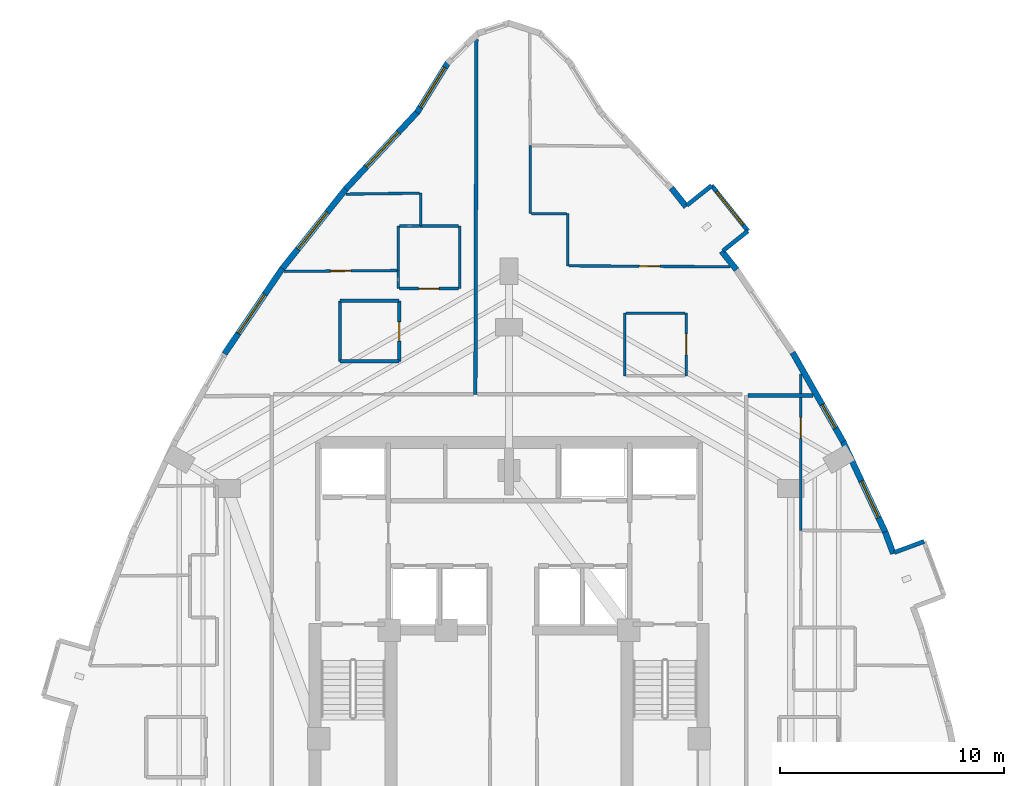
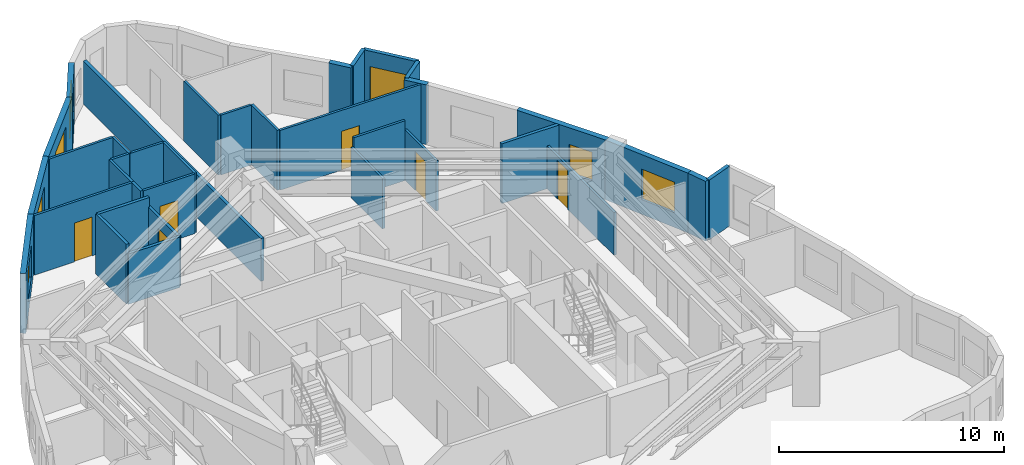
# One storey, part 12 of 14: 36 walls, 7 windows, 6 doors, 13 openings.
"""IFC4 building model written with IfcOpenShell, lengths in metres."""

from ifc_helpers import new_model, si_unit, direction, frame, frame_2d, origin, place, context, subcontext, project, spatial, rectangle, extrude, material, layer, layer_set, type_object, element, fill, save


model = new_model("IFC4")

# Units and contexts
model_context = context("Model", 3, precision=1e-05, world=origin(), true_north=direction((0.0, 1.0)))
body_context = subcontext(model_context, "Body", "Model", "MODEL_VIEW")
ifc_project = project(units=[si_unit("LENGTHUNIT", "METRE"), si_unit("AREAUNIT", "SQUARE_METRE"), si_unit("VOLUMEUNIT", "CUBIC_METRE"), si_unit("PLANEANGLEUNIT", "RADIAN"), si_unit("MASSUNIT", "GRAM", prefix="KILO")], contexts=[model_context])

# Site, building, storey
site_placement = place(None, origin())
site = spatial("IfcSite", under=ifc_project, at=site_placement, CompositionType="ELEMENT")
building_placement = place(site_placement, origin())
building = spatial("IfcBuilding", under=site, at=building_placement, Name="Miruveldt Soraemaru", CompositionType="ELEMENT")
storey_placement = place(building_placement, frame((0.0, 0.0, 114.39990234375)))
storey = spatial("IfcBuildingStorey", under=building, at=storey_placement, Name="L31", CompositionType="ELEMENT", Elevation=114.39990234375)

# Walls
ifc_material_1 = material(Name="White powder-coated aluminium EN AW-6060 T6", Category="aluminium")
ifc_layer_1 = layer(ifc_material_1, 0.18994140625, Name="White powder-coated aluminium EN AW-6060 T6", Category="aluminium")
ifc_layer_set_1 = layer_set([ifc_layer_1], Name="White powder-coated aluminium EN AW-6060 T6")
wall_type_1 = type_object("IfcWallType", Name="WALL-BAY-ALU190", PredefinedType="SOLIDWALL", material=ifc_layer_set_1)
for number, where, z_axis, x_axis, name in (
    (1, (62.55712890625, 48.029541015625, 0.0), (0.0, 0.0, 1.0), (-0.937129361406, -0.348982177182, 0.0), "L31 Bay Window Side Cheek 3R"),
    (2, (53.5703125, 61.017333984375, 0.0), (0.0, 0.0, 1.0), (0.781737193764, 0.623608017817, 0.0), "L31 Bay Window Side Cheek 4L"),
    (3, (53.06298828125, 63.938720703125, 0.0), (0.0, 0.0, 1.0), (-0.781737193764, -0.623608017817, 0.0), "L31 Bay Window Side Cheek 4R"),
):
    element("IfcWall", number, at=place(storey_placement, frame(where, z_axis=z_axis, x_axis=x_axis)), inside=storey, type_object=wall_type_1, Name=name, PredefinedType="SOLIDWALL", context=body_context, shape_type="SweptSolid", body=[
        extrude(rectangle(XDim=1.425048828125, YDim=0.18994140625, at=frame_2d((0.71240234375, 0.0))), origin(), (0.0, 0.0, 1.0), 3.235107421875),
    ])

# Wall, opening, window
wall_1_placement = place(storey_placement, frame((54.684326171875, 61.906005859375, 0.0), z_axis=(0.0, 0.0, 1.0), x_axis=(-0.62356077149, 0.781774880805, 0.0)))
wall_1 = element("IfcWall", 4, at=wall_1_placement, inside=storey, type_object=wall_type_1, Name="L31 Bay Window Front Frame 4", PredefinedType="SOLIDWALL", context=body_context, shape_type="SweptSolid", body=[
    extrude(rectangle(XDim=2.60009765625, YDim=0.18994140625, at=frame_2d((1.300048828125, 0.0))), origin(), (0.0, 0.0, 1.0), 3.235107421875),
])
opening_1_placement = place(wall_1_placement, frame((0.35009765625, 0.0, 0.550048828125)))
opening_1 = element("IfcOpeningElement", 5, at=opening_1_placement, cuts=wall_1, Name="Opening WN-6", PredefinedType="OPENING", context=body_context, shape_type="SweptSolid", body=[
    extrude(rectangle(XDim=1.89990234375, YDim=1.85009765625, at=frame_2d((0.949951171875, 0.925048828125))), frame((0.0, 0.10498046875, 0.0), z_axis=(0.0, -1.0, 0.0), x_axis=(1.0, 0.0, 0.0)), (0.0, 0.0, 1.0), 0.2099609375),
])
ifc_material_2 = material(Name="Triple low-e insulated glazing", Category="glass")
window_type_1 = type_object("IfcWindowType", Name="WIN-BAYW-1900x1850", PartitioningType="SINGLE_PANEL", PredefinedType="WINDOW", material=ifc_material_2)
window_1_placement = place(opening_1_placement, origin())
window_1 = element("IfcWindow", 6, at=window_1_placement, inside=storey, type_object=window_type_1, Name="L31 Projecting Bay Window 4", OverallHeight=1.85009765625, OverallWidth=1.89990234375, PartitioningType="SINGLE_PANEL", PredefinedType="WINDOW", context=body_context, shape_type="SweptSolid", body=[
    extrude(rectangle(XDim=1.89990234375, YDim=1.85009765625, at=frame_2d((0.949951171875, 0.925048828125))), frame((0.0, 0.030029296875, 0.0), z_axis=(0.0, -1.0, 0.0), x_axis=(1.0, 0.0, 0.0)), (0.0, 0.0, 1.0), 0.06005859375),
])
fill(opening_1, window_1)

ifc_material_3 = material(Name="Precast concrete C45/55 (45 MPa)", Category="concrete")
ifc_layer_2 = layer(ifc_material_3, 0.27001953125, Name="Precast concrete C45/55 (45 MPa)", Category="concrete")
ifc_layer_set_2 = layer_set([ifc_layer_2], Name="Precast concrete C45/55 (45 MPa)")
wall_type_2 = type_object("IfcWallType", Name="WALL-EXT-PC270", PredefinedType="SOLIDWALL", material=ifc_layer_set_2)
wall_2_placement = place(storey_placement, frame((41.289306640625, 69.462890625, 0.0), z_axis=(0.0, 0.0, 1.0), x_axis=(-0.526013792322, -0.850476037456, 0.0)))
wall_2 = element("IfcWall", 7, at=wall_2_placement, inside=storey, type_object=wall_type_2, Name="L31 Precast Concrete Facade Wall 6", PredefinedType="SOLIDWALL", context=body_context, shape_type="SweptSolid", body=[
    extrude(rectangle(XDim=2.66357421875, YDim=0.27001953125, at=frame_2d((1.331787109375, 0.0))), origin(), (0.0, 0.0, 1.0), 3.235107421875),
])
opening_2_placement = place(wall_2_placement, frame((0.281982421875, 0.0, 0.800048828125)))
opening_2 = element("IfcOpeningElement", 8, at=opening_2_placement, cuts=wall_2, Name="Opening WN-1", PredefinedType="OPENING", context=body_context, shape_type="SweptSolid", body=[
    extrude(rectangle(XDim=2.10009765625, YDim=1.699951171875, at=frame_2d((1.050048828125, 0.85009765625))), frame((0.0, 0.14501953125, 0.0), z_axis=(0.0, -1.0, 0.0), x_axis=(1.0, 0.0, 0.0)), (0.0, 0.0, 1.0), 0.2900390625),
])
window_type_2 = type_object("IfcWindowType", Name="WIN-PUNCH-2100x1700", PartitioningType="SINGLE_PANEL", PredefinedType="WINDOW", material=ifc_material_2)
window_2_placement = place(opening_2_placement, origin())
window_2 = element("IfcWindow", 9, at=window_2_placement, inside=storey, type_object=window_type_2, Name="L31 Punched Triple-Glazed Window 06.1", OverallHeight=1.699951171875, OverallWidth=2.10009765625, PartitioningType="SINGLE_PANEL", PredefinedType="WINDOW", context=body_context, shape_type="SweptSolid", body=[
    extrude(rectangle(XDim=2.10009765625, YDim=1.699951171875, at=frame_2d((1.050048828125, 0.85009765625))), frame((0.0, 0.030029296875, 0.0), z_axis=(0.0, -1.0, 0.0), x_axis=(1.0, 0.0, 0.0)), (0.0, 0.0, 1.0), 0.06005859375),
])
fill(opening_2, window_2)

wall_3_placement = place(storey_placement, frame((39.930419921875, 67.2529296875, 0.0), z_axis=(0.0, 0.0, 1.0), x_axis=(-0.680907985311, -0.732368974998, 0.0)))
wall_3 = element("IfcWall", 10, at=wall_3_placement, inside=storey, type_object=wall_type_2, Name="L31 Precast Concrete Facade Wall 7", PredefinedType="SOLIDWALL", context=body_context, shape_type="SweptSolid", body=[
    extrude(rectangle(XDim=4.753662109375, YDim=0.27001953125, at=frame_2d((2.376953125, 0.0))), origin(), (0.0, 0.0, 1.0), 3.235107421875),
])
opening_3_placement = place(wall_3_placement, frame((1.280029296875, 0.0, 0.800048828125)))
opening_3 = element("IfcOpeningElement", 11, at=opening_3_placement, cuts=wall_3, Name="Opening WN-1", PredefinedType="OPENING", context=body_context, shape_type="SweptSolid", body=[
    extrude(rectangle(XDim=2.10009765625, YDim=1.699951171875, at=frame_2d((1.050048828125, 0.85009765625))), frame((0.0, 0.14501953125, 0.0), z_axis=(0.0, -1.0, 0.0), x_axis=(1.0, 0.0, 0.0)), (0.0, 0.0, 1.0), 0.2900390625),
])
window_3_placement = place(opening_3_placement, origin())
window_3 = element("IfcWindow", 12, at=window_3_placement, inside=storey, type_object=window_type_2, Name="L31 Punched Triple-Glazed Window 07.1", OverallHeight=1.699951171875, OverallWidth=2.10009765625, PartitioningType="SINGLE_PANEL", PredefinedType="WINDOW", context=body_context, shape_type="SweptSolid", body=[
    extrude(rectangle(XDim=2.10009765625, YDim=1.699951171875, at=frame_2d((1.050048828125, 0.85009765625))), frame((0.0, 0.030029296875, 0.0), z_axis=(0.0, -1.0, 0.0), x_axis=(1.0, 0.0, 0.0)), (0.0, 0.0, 1.0), 0.06005859375),
])
fill(opening_3, window_3)

wall_4_placement = place(storey_placement, frame((36.7392578125, 63.82470703125, 0.0), z_axis=(0.0, 0.0, 1.0), x_axis=(-0.623591359233, -0.781750482372, 0.0)))
wall_4 = element("IfcWall", 13, at=wall_4_placement, inside=storey, type_object=wall_type_2, Name="L31 Precast Concrete Facade Wall 8", PredefinedType="SOLIDWALL", context=body_context, shape_type="SweptSolid", body=[
    extrude(rectangle(XDim=4.66943359375, YDim=0.27001953125, at=frame_2d((2.334716796875, 0.0))), origin(), (0.0, 0.0, 1.0), 3.235107421875),
])
opening_4_placement = place(wall_4_placement, frame((1.386962890625, 0.0, 0.800048828125)))
opening_4 = element("IfcOpeningElement", 14, at=opening_4_placement, cuts=wall_4, Name="Opening WN-1", PredefinedType="OPENING", context=body_context, shape_type="SweptSolid", body=[
    extrude(rectangle(XDim=2.10009765625, YDim=1.699951171875, at=frame_2d((1.050048828125, 0.85009765625))), frame((0.0, 0.14501953125, 0.0), z_axis=(0.0, -1.0, 0.0), x_axis=(1.0, 0.0, 0.0)), (0.0, 0.0, 1.0), 0.2900390625),
])
window_4_placement = place(opening_4_placement, origin())
window_4 = element("IfcWindow", 15, at=window_4_placement, inside=storey, type_object=window_type_2, Name="L31 Punched Triple-Glazed Window 08.1", OverallHeight=1.699951171875, OverallWidth=2.10009765625, PartitioningType="SINGLE_PANEL", PredefinedType="WINDOW", context=body_context, shape_type="SweptSolid", body=[
    extrude(rectangle(XDim=2.10009765625, YDim=1.699951171875, at=frame_2d((1.050048828125, 0.85009765625))), frame((0.0, 0.030029296875, 0.0), z_axis=(0.0, -1.0, 0.0), x_axis=(1.0, 0.0, 0.0)), (0.0, 0.0, 1.0), 0.06005859375),
])
fill(opening_4, window_4)

wall_5_placement = place(storey_placement, frame((33.868896484375, 60.230712890625, 0.0), z_axis=(0.0, 0.0, 1.0), x_axis=(-0.560841123117, -0.827923447319, 0.0)))
wall_5 = element("IfcWall", 16, at=wall_5_placement, inside=storey, type_object=wall_type_2, Name="L31 Precast Concrete Facade Wall 9", PredefinedType="SOLIDWALL", context=body_context, shape_type="SweptSolid", body=[
    extrude(rectangle(XDim=4.612548828125, YDim=0.27001953125, at=frame_2d((2.30615234375, 0.0))), origin(), (0.0, 0.0, 1.0), 3.235107421875),
])
opening_5_placement = place(wall_5_placement, frame((1.406005859375, 0.0, 0.800048828125)))
opening_5 = element("IfcOpeningElement", 17, at=opening_5_placement, cuts=wall_5, Name="Opening WN-1", PredefinedType="OPENING", context=body_context, shape_type="SweptSolid", body=[
    extrude(rectangle(XDim=2.10009765625, YDim=1.699951171875, at=frame_2d((1.050048828125, 0.85009765625))), frame((0.0, 0.14501953125, 0.0), z_axis=(0.0, -1.0, 0.0), x_axis=(1.0, 0.0, 0.0)), (0.0, 0.0, 1.0), 0.2900390625),
])
window_5_placement = place(opening_5_placement, origin())
window_5 = element("IfcWindow", 18, at=window_5_placement, inside=storey, type_object=window_type_2, Name="L31 Punched Triple-Glazed Window 09.1", OverallHeight=1.699951171875, OverallWidth=2.10009765625, PartitioningType="SINGLE_PANEL", PredefinedType="WINDOW", context=body_context, shape_type="SweptSolid", body=[
    extrude(rectangle(XDim=2.10009765625, YDim=1.699951171875, at=frame_2d((1.050048828125, 0.85009765625))), frame((0.0, 0.030029296875, 0.0), z_axis=(0.0, -1.0, 0.0), x_axis=(1.0, 0.0, 0.0)), (0.0, 0.0, 1.0), 0.06005859375),
])
fill(opening_5, window_5)

# Wall
wall_6_placement = place(storey_placement, frame((61.180908203125, 47.48486328125, 0.0), z_axis=(0.0, 0.0, 1.0), x_axis=(-0.349109023173, 0.937082114833, 0.0)))
element("IfcWall", 19, at=wall_6_placement, inside=storey, type_object=wall_type_2, Name="L31 Precast Pier Wall 37B", PredefinedType="SOLIDWALL", context=body_context, shape_type="SweptSolid", body=[
    extrude(rectangle(XDim=1.036376953125, YDim=0.27001953125, at=frame_2d((0.51806640625, 0.0))), origin(), (0.0, 0.0, 1.0), 3.235107421875),
])

# Wall, opening, window
wall_7_placement = place(storey_placement, frame((60.84619140625, 48.3916015625, 0.0), z_axis=(0.0, 0.0, 1.0), x_axis=(-0.422328448577, 0.90644287273, 0.0)))
wall_7 = element("IfcWall", 20, at=wall_7_placement, inside=storey, type_object=wall_type_2, Name="L31 Precast Concrete Facade Wall 38", PredefinedType="SOLIDWALL", context=body_context, shape_type="SweptSolid", body=[
    extrude(rectangle(XDim=4.58349609375, YDim=0.27001953125, at=frame_2d((2.291748046875, 0.0))), origin(), (0.0, 0.0, 1.0), 3.235107421875),
])
opening_6_placement = place(wall_7_placement, frame((0.77197265625, 0.0, 0.800048828125)))
opening_6 = element("IfcOpeningElement", 21, at=opening_6_placement, cuts=wall_7, Name="Opening WN-2", PredefinedType="OPENING", context=body_context, shape_type="SweptSolid", body=[
    extrude(rectangle(XDim=1.800048828125, YDim=1.64990234375, at=frame_2d((0.89990234375, 0.824951171875))), frame((0.0, 0.14501953125, 0.0), z_axis=(0.0, -1.0, 0.0), x_axis=(1.0, 0.0, 0.0)), (0.0, 0.0, 1.0), 0.2900390625),
])
window_type_3 = type_object("IfcWindowType", Name="WIN-PUNCH-1800x1650", PartitioningType="SINGLE_PANEL", PredefinedType="WINDOW", material=ifc_material_2)
window_6_placement = place(opening_6_placement, origin())
window_6 = element("IfcWindow", 22, at=window_6_placement, inside=storey, type_object=window_type_3, Name="L31 Punched Triple-Glazed Window 38.1", OverallHeight=1.64990234375, OverallWidth=1.800048828125, PartitioningType="SINGLE_PANEL", PredefinedType="WINDOW", context=body_context, shape_type="SweptSolid", body=[
    extrude(rectangle(XDim=1.800048828125, YDim=1.64990234375, at=frame_2d((0.89990234375, 0.824951171875))), frame((0.0, 0.030029296875, 0.0), z_axis=(0.0, -1.0, 0.0), x_axis=(1.0, 0.0, 0.0)), (0.0, 0.0, 1.0), 0.06005859375),
])
fill(opening_6, window_6)

wall_8_placement = place(storey_placement, frame((58.9423828125, 52.484130859375, 0.0), z_axis=(0.0, 0.0, 1.0), x_axis=(-0.493365968838, 0.869821832786, 0.0)))
wall_8 = element("IfcWall", 23, at=wall_8_placement, inside=storey, type_object=wall_type_2, Name="L31 Precast Concrete Facade Wall 39", PredefinedType="SOLIDWALL", context=body_context, shape_type="SweptSolid", body=[
    extrude(rectangle(XDim=4.583740234375, YDim=0.27001953125, at=frame_2d((2.2919921875, 0.0))), origin(), (0.0, 0.0, 1.0), 3.235107421875),
])
opening_7_placement = place(wall_8_placement, frame((0.7060546875, 0.0, 0.780029296875)))
opening_7 = element("IfcOpeningElement", 24, at=opening_7_placement, cuts=wall_8, Name="Opening WN-4", PredefinedType="OPENING", context=body_context, shape_type="SweptSolid", body=[
    extrude(rectangle(XDim=1.199951171875, YDim=1.550048828125, at=frame_2d((0.60009765625, 0.77490234375))), frame((0.0, 0.14501953125, 0.0), z_axis=(0.0, -1.0, 0.0), x_axis=(1.0, 0.0, 0.0)), (0.0, 0.0, 1.0), 0.2900390625),
])
window_type_4 = type_object("IfcWindowType", Name="WIN-PUNCH-1200x1550", PartitioningType="SINGLE_PANEL", PredefinedType="WINDOW", material=ifc_material_2)
window_7_placement = place(opening_7_placement, origin())
window_7 = element("IfcWindow", 25, at=window_7_placement, inside=storey, type_object=window_type_4, Name="L31 Punched Triple-Glazed Window 39.1", OverallHeight=1.550048828125, OverallWidth=1.199951171875, PartitioningType="SINGLE_PANEL", PredefinedType="WINDOW", context=body_context, shape_type="SweptSolid", body=[
    extrude(rectangle(XDim=1.199951171875, YDim=1.550048828125, at=frame_2d((0.60009765625, 0.77490234375))), frame((0.0, 0.030029296875, 0.0), z_axis=(0.0, -1.0, 0.0), x_axis=(1.0, 0.0, 0.0)), (0.0, 0.0, 1.0), 0.06005859375),
])
fill(opening_7, window_7)

# Walls
for number, where, z_axis, x_axis, name in (
    (26, (54.172607421875, 60.17431640625, 0.0), (0.0, 0.0, 1.0), (-0.623687858662, 0.781673496389, 0.0), "L31 Precast Pier Wall 41A"),
    (27, (51.924560546875, 62.9921875, 0.0), (0.0, 0.0, 1.0), (-0.623435944925, 0.781874428905, 0.0), "L31 Precast Pier Wall 41B"),
):
    element("IfcWall", number, at=place(storey_placement, frame(where, z_axis=z_axis, x_axis=x_axis)), inside=storey, type_object=wall_type_2, Name=name, PredefinedType="SOLIDWALL", context=body_context, shape_type="SweptSolid", body=[
        extrude(rectangle(XDim=1.064697265625, YDim=0.27001953125, at=frame_2d((0.5322265625, 0.0))), origin(), (0.0, 0.0, 1.0), 3.235107421875),
    ])

# Wall, opening, door
ifc_material_4 = material(Name="Gypsum plasterboard lining", Category="gypsum")
ifc_layer_3 = layer(ifc_material_4, 0.1201171875, Name="Gypsum plasterboard lining", Category="gypsum")
ifc_layer_set_3 = layer_set([ifc_layer_3], Name="Gypsum plasterboard lining")
wall_type_3 = type_object("IfcWallType", Name="WALL-INT-P120", PredefinedType="PARTITIONING", material=ifc_layer_set_3)
wall_9_placement = place(storey_placement, frame((53.8779296875, 60.303955078125, 0.0), z_axis=(0.0, 0.0, 1.0), x_axis=(-0.999982133105, 0.00597774796, 0.0)))
wall_9 = element("IfcWall", 28, at=wall_9_placement, inside=storey, type_object=wall_type_3, Name="L31 Partition Wall 29", PredefinedType="PARTITIONING", context=body_context, shape_type="SweptSolid", body=[
    extrude(rectangle(XDim=7.188232421875, YDim=0.1201171875, at=frame_2d((3.59423828125, 0.0))), origin(), (0.0, 0.0, 1.0), 3.235107421875),
])
opening_8_placement = place(wall_9_placement, frame((3.134033203125, 0.0, 0.0)))
opening_8 = element("IfcOpeningElement", 29, at=opening_8_placement, cuts=wall_9, Name="Opening D3A", PredefinedType="OPENING", context=body_context, shape_type="SweptSolid", body=[
    extrude(rectangle(XDim=0.919921875, YDim=2.10009765625, at=frame_2d((0.4599609375, 1.050048828125))), frame((0.0, 0.070068359375, 0.0), z_axis=(0.0, -1.0, 0.0), x_axis=(1.0, 0.0, 0.0)), (0.0, 0.0, 1.0), 0.14013671875),
])
ifc_material_5 = material(Name="Anodised aluminium EN AW-6063 T6", Category="aluminium")
door_type_1 = type_object("IfcDoorType", Name="DOOR-INT-920", OperationType="NOTDEFINED", PredefinedType="DOOR", material=ifc_material_5)
door_1_placement = place(opening_8_placement, origin())
door_1 = element("IfcDoor", 30, at=door_1_placement, inside=storey, type_object=door_type_1, Name="L31 Unit 3102 BD1 Door", OperationType="SINGLE_SWING_LEFT", OverallHeight=2.10009765625, OverallWidth=0.919921875, PredefinedType="DOOR", context=body_context, shape_type="SweptSolid", body=[
    extrude(rectangle(XDim=0.919921875, YDim=2.10009765625, at=frame_2d((0.4599609375, 1.050048828125))), frame((0.0, 0.02490234375, 0.0), z_axis=(0.0, -1.0, 0.0), x_axis=(1.0, 0.0, 0.0)), (0.0, 0.0, 1.0), 0.050048828125),
])
fill(opening_8, door_1)

wall_10_placement = place(storey_placement, frame((57.050048828125, 48.52099609375, 0.0), z_axis=(0.0, 0.0, 1.0), x_axis=(0.0, 1.0, 0.0)))
wall_10 = element("IfcWall", 31, at=wall_10_placement, inside=storey, type_object=wall_type_3, Name="L31 Partition Wall 59", PredefinedType="PARTITIONING", context=body_context, shape_type="SweptSolid", body=[
    extrude(rectangle(XDim=6.99609375, YDim=0.1201171875, at=frame_2d((3.498046875, 0.0))), origin(), (0.0, 0.0, 1.0), 2.322998046875),
])
opening_9_placement = place(wall_10_placement, frame((4.117919921875, 0.0, 0.0)))
opening_9 = element("IfcOpeningElement", 32, at=opening_9_placement, cuts=wall_10, Name="Opening D3A", PredefinedType="OPENING", context=body_context, shape_type="SweptSolid", body=[
    extrude(rectangle(XDim=0.919921875, YDim=2.10009765625, at=frame_2d((0.4599609375, 1.050048828125))), frame((0.0, 0.070068359375, 0.0), z_axis=(0.0, -1.0, 0.0), x_axis=(1.0, 0.0, 0.0)), (0.0, 0.0, 1.0), 0.14013671875),
])
door_2_placement = place(opening_9_placement, origin())
door_2 = element("IfcDoor", 33, at=door_2_placement, inside=storey, type_object=door_type_1, Name="L31 Unit 3104 BD2 Door", OperationType="SINGLE_SWING_LEFT", OverallHeight=2.10009765625, OverallWidth=0.919921875, PredefinedType="DOOR", context=body_context, shape_type="SweptSolid", body=[
    extrude(rectangle(XDim=0.919921875, YDim=2.10009765625, at=frame_2d((0.4599609375, 1.050048828125))), frame((0.0, 0.02490234375, 0.0), z_axis=(0.0, -1.0, 0.0), x_axis=(1.0, 0.0, 0.0)), (0.0, 0.0, 1.0), 0.050048828125),
])
fill(opening_9, door_2)

wall_11_placement = place(storey_placement, frame((38.98388671875, 60.136962890625, 0.0), z_axis=(0.0, 0.0, 1.0), x_axis=(-0.999969773772, -0.007775058985, 0.0)))
wall_11 = element("IfcWall", 34, at=wall_11_placement, inside=storey, type_object=wall_type_3, Name="L31 Partition Wall 20", PredefinedType="PARTITIONING", context=body_context, shape_type="SweptSolid", body=[
    extrude(rectangle(XDim=5.024169921875, YDim=0.1201171875, at=frame_2d((2.51220703125, 0.0))), origin(), (0.0, 0.0, 1.0), 3.235107421875),
])
opening_10_placement = place(wall_11_placement, frame((2.052001953125, 0.0, 0.0)))
opening_10 = element("IfcOpeningElement", 35, at=opening_10_placement, cuts=wall_11, Name="Opening D3A", PredefinedType="OPENING", context=body_context, shape_type="SweptSolid", body=[
    extrude(rectangle(XDim=0.919921875, YDim=2.10009765625, at=frame_2d((0.4599609375, 1.050048828125))), frame((0.0, 0.070068359375, 0.0), z_axis=(0.0, -1.0, 0.0), x_axis=(1.0, 0.0, 0.0)), (0.0, 0.0, 1.0), 0.14013671875),
])
door_3_placement = place(opening_10_placement, origin())
door_3 = element("IfcDoor", 36, at=door_3_placement, inside=storey, type_object=door_type_1, Name="L31 Unit 3101 BD1 Door", OperationType="SINGLE_SWING_RIGHT", OverallHeight=2.10009765625, OverallWidth=0.919921875, PredefinedType="DOOR", context=body_context, shape_type="SweptSolid", body=[
    extrude(rectangle(XDim=0.919921875, YDim=2.10009765625, at=frame_2d((0.4599609375, 1.050048828125))), frame((0.0, 0.02490234375, 0.0), z_axis=(0.0, -1.0, 0.0), x_axis=(1.0, 0.0, 0.0)), (0.0, 0.0, 1.0), 0.050048828125),
])
fill(opening_10, door_3)

wall_12_placement = place(storey_placement, frame((51.929931640625, 55.429931640625, 0.0), z_axis=(0.0, 0.0, 1.0), x_axis=(0.0, 1.0, 0.0)))
wall_12 = element("IfcWall", 37, at=wall_12_placement, inside=storey, type_object=wall_type_3, Name="L31 Partition Wall 25", PredefinedType="PARTITIONING", context=body_context, shape_type="SweptSolid", body=[
    extrude(rectangle(XDim=2.800048828125, YDim=0.1201171875, at=frame_2d((1.39990234375, 0.0))), origin(), (0.0, 0.0, 1.0), 2.72314453125),
])
opening_11_placement = place(wall_12_placement, frame((0.93994140625, 0.0, 0.0)))
opening_11 = element("IfcOpeningElement", 38, at=opening_11_placement, cuts=wall_12, Name="Opening D3A", PredefinedType="OPENING", context=body_context, shape_type="SweptSolid", body=[
    extrude(rectangle(XDim=0.919921875, YDim=2.10009765625, at=frame_2d((0.4599609375, 1.050048828125))), frame((0.0, 0.070068359375, 0.0), z_axis=(0.0, -1.0, 0.0), x_axis=(1.0, 0.0, 0.0)), (0.0, 0.0, 1.0), 0.14013671875),
])
door_4_placement = place(opening_11_placement, origin())
door_4 = element("IfcDoor", 39, at=door_4_placement, inside=storey, type_object=door_type_1, Name="L31 Unit 3102 KIT Door", OperationType="SINGLE_SWING_RIGHT", OverallHeight=2.10009765625, OverallWidth=0.919921875, PredefinedType="DOOR", context=body_context, shape_type="SweptSolid", body=[
    extrude(rectangle(XDim=0.919921875, YDim=2.10009765625, at=frame_2d((0.4599609375, 1.050048828125))), frame((0.0, 0.02490234375, 0.0), z_axis=(0.0, -1.0, 0.0), x_axis=(1.0, 0.0, 0.0)), (0.0, 0.0, 1.0), 0.050048828125),
])
fill(opening_11, door_4)

wall_13_placement = place(storey_placement, frame((39.10400390625, 59.330078125, 0.0), z_axis=(0.0, 0.0, 1.0), x_axis=(1.0, 0.0, 0.0)))
wall_13 = element("IfcWall", 40, at=wall_13_placement, inside=storey, type_object=wall_type_3, Name="L31 Partition Wall 17", PredefinedType="PARTITIONING", context=body_context, shape_type="SweptSolid", body=[
    extrude(rectangle(XDim=2.6298828125, YDim=0.1201171875, at=frame_2d((1.31494140625, 0.0))), origin(), (0.0, 0.0, 1.0), 3.235107421875),
])
opening_12_placement = place(wall_13_placement, frame((0.85498046875, 0.0, 0.0)))
opening_12 = element("IfcOpeningElement", 41, at=opening_12_placement, cuts=wall_13, Name="Opening D3A", PredefinedType="OPENING", context=body_context, shape_type="SweptSolid", body=[
    extrude(rectangle(XDim=0.919921875, YDim=2.10009765625, at=frame_2d((0.4599609375, 1.050048828125))), frame((0.0, 0.070068359375, 0.0), z_axis=(0.0, -1.0, 0.0), x_axis=(1.0, 0.0, 0.0)), (0.0, 0.0, 1.0), 0.14013671875),
])
door_5_placement = place(opening_12_placement, origin())
door_5 = element("IfcDoor", 42, at=door_5_placement, inside=storey, type_object=door_type_1, Name="L31 Unit 3101 KIT Door", OperationType="SINGLE_SWING_LEFT", OverallHeight=2.10009765625, OverallWidth=0.919921875, PredefinedType="DOOR", context=body_context, shape_type="SweptSolid", body=[
    extrude(rectangle(XDim=0.919921875, YDim=2.10009765625, at=frame_2d((0.4599609375, 1.050048828125))), frame((0.0, 0.02490234375, 0.0), z_axis=(0.0, -1.0, 0.0), x_axis=(1.0, 0.0, 0.0)), (0.0, 0.0, 1.0), 0.050048828125),
])
fill(opening_12, door_5)

# Walls
wall_14_placement = place(storey_placement, frame((36.714111328125, 63.552001953125, 0.0), z_axis=(0.0, 0.0, 1.0), x_axis=(0.999913987072, 0.013115580692, 0.0)))
element("IfcWall", 43, at=wall_14_placement, inside=storey, type_object=wall_type_3, Name="L31 Partition Wall 18", PredefinedType="PARTITIONING", context=body_context, shape_type="SweptSolid", body=[
    extrude(rectangle(XDim=3.276123046875, YDim=0.1201171875, at=frame_2d((1.63818359375, 0.0))), origin(), (0.0, 0.0, 1.0), 3.235107421875),
])
wall_15_placement = place(storey_placement, frame((44.949951171875, 62.679931640625, 0.0), z_axis=(0.0, 0.0, 1.0), x_axis=(0.0, 1.0, 0.0)))
element("IfcWall", 44, at=wall_15_placement, inside=storey, type_object=wall_type_3, Name="L31 Partition Wall 32", PredefinedType="PARTITIONING", context=body_context, shape_type="SweptSolid", body=[
    extrude(rectangle(XDim=3.051025390625, YDim=0.1201171875, at=frame_2d((1.525390625, 0.0))), origin(), (0.0, 0.0, 1.0), 3.235107421875),
])
wall_16_placement = place(storey_placement, frame((41.7939453125, 59.330078125, 0.0), z_axis=(0.0, 0.0, 1.0), x_axis=(0.0, 1.0, 0.0)))
element("IfcWall", 45, at=wall_16_placement, inside=storey, type_object=wall_type_3, Name="L31 Partition Wall 14", PredefinedType="PARTITIONING", context=body_context, shape_type="SweptSolid", body=[
    extrude(rectangle(XDim=2.7998046875, YDim=0.1201171875, at=frame_2d((1.39990234375, 0.0))), origin(), (0.0, 0.0, 1.0), 3.235107421875),
])
wall_17_placement = place(storey_placement, frame((49.179931640625, 58.22998046875, 0.0), z_axis=(0.0, 0.0, 1.0), x_axis=(0.0, -1.0, 0.0)))
element("IfcWall", 46, at=wall_17_placement, inside=storey, type_object=wall_type_3, Name="L31 Partition Wall 27", PredefinedType="PARTITIONING", context=body_context, shape_type="SweptSolid", body=[
    extrude(rectangle(XDim=2.800048828125, YDim=0.1201171875, at=frame_2d((1.39990234375, 0.0))), origin(), (0.0, 0.0, 1.0), 2.72314453125),
])
wall_18_placement = place(storey_placement, frame((51.8701171875, 58.22998046875, 0.0), z_axis=(0.0, 0.0, 1.0), x_axis=(-1.0, 0.0, 0.0)))
element("IfcWall", 47, at=wall_18_placement, inside=storey, type_object=wall_type_3, Name="L31 Partition Wall 26", PredefinedType="PARTITIONING", context=body_context, shape_type="SweptSolid", body=[
    extrude(rectangle(XDim=2.630126953125, YDim=0.1201171875, at=frame_2d((1.31494140625, 0.0))), origin(), (0.0, 0.0, 1.0), 3.235107421875),
])
wall_19_placement = place(storey_placement, frame((46.6298828125, 60.346923828125, 0.0), z_axis=(0.0, 0.0, 1.0), x_axis=(0.0, 1.0, 0.0)))
element("IfcWall", 48, at=wall_19_placement, inside=storey, type_object=wall_type_3, Name="L31 Partition Wall 30", PredefinedType="PARTITIONING", context=body_context, shape_type="SweptSolid", body=[
    extrude(rectangle(XDim=2.3330078125, YDim=0.1201171875, at=frame_2d((1.16650390625, 0.0))), origin(), (0.0, 0.0, 1.0), 3.235107421875),
])
wall_20_placement = place(storey_placement, frame((39.0439453125, 62.1298828125, 0.0), z_axis=(0.0, 0.0, 1.0), x_axis=(0.0, -1.0, 0.0)))
element("IfcWall", 49, at=wall_20_placement, inside=storey, type_object=wall_type_3, Name="L31 Partition Wall 24", PredefinedType="PARTITIONING", context=body_context, shape_type="SweptSolid", body=[
    extrude(rectangle(XDim=1.992919921875, YDim=0.1201171875, at=frame_2d((0.99658203125, 0.0))), origin(), (0.0, 0.0, 1.0), 3.235107421875),
])
wall_21_placement = place(storey_placement, frame((41.73388671875, 62.1298828125, 0.0), z_axis=(0.0, 0.0, 1.0), x_axis=(-1.0, 0.0, 0.0)))
element("IfcWall", 50, at=wall_21_placement, inside=storey, type_object=wall_type_3, Name="L31 Partition Wall 15", PredefinedType="PARTITIONING", context=body_context, shape_type="SweptSolid", body=[
    extrude(rectangle(XDim=1.7138671875, YDim=0.1201171875, at=frame_2d((0.85693359375, 0.0))), origin(), (0.0, 0.0, 1.0), 3.235107421875),
])
wall_22_placement = place(storey_placement, frame((46.570068359375, 62.679931640625, 0.0), z_axis=(0.0, 0.0, 1.0), x_axis=(-1.0, 0.0, 0.0)))
element("IfcWall", 51, at=wall_22_placement, inside=storey, type_object=wall_type_3, Name="L31 Partition Wall 31", PredefinedType="PARTITIONING", context=body_context, shape_type="SweptSolid", body=[
    extrude(rectangle(XDim=1.56005859375, YDim=0.1201171875, at=frame_2d((0.780029296875, 0.0))), origin(), (0.0, 0.0, 1.0), 3.235107421875),
])
wall_23_placement = place(storey_placement, frame((40.050048828125, 63.595947265625, 0.0), z_axis=(0.0, 0.0, 1.0), x_axis=(0.0, -1.0, 0.0)))
element("IfcWall", 52, at=wall_23_placement, inside=storey, type_object=wall_type_3, Name="L31 Partition Wall 19", PredefinedType="PARTITIONING", context=body_context, shape_type="SweptSolid", body=[
    extrude(rectangle(XDim=1.466064453125, YDim=0.1201171875, at=frame_2d((0.73291015625, 0.0))), origin(), (0.0, 0.0, 1.0), 3.235107421875),
])
wall_24_placement = place(storey_placement, frame((39.0439453125, 60.136962890625, 0.0), z_axis=(0.0, 0.0, 1.0), x_axis=(0.0, -1.0, 0.0)))
element("IfcWall", 53, at=wall_24_placement, inside=storey, type_object=wall_type_3, Name="L31 Partition Wall 16", PredefinedType="PARTITIONING", context=body_context, shape_type="SweptSolid", body=[
    extrude(rectangle(XDim=0.806884765625, YDim=0.1201171875, at=frame_2d((0.4033203125, 0.0))), origin(), (0.0, 0.0, 1.0), 3.235107421875),
])
wall_25_placement = place(storey_placement, frame((39.989990234375, 62.1298828125, 0.0), z_axis=(0.0, 0.0, 1.0), x_axis=(-1.0, 0.0, 0.0)))
element("IfcWall", 54, at=wall_25_placement, inside=storey, type_object=wall_type_3, Name="L31 Partition Wall 23", PredefinedType="PARTITIONING", context=body_context, shape_type="SweptSolid", body=[
    extrude(rectangle(XDim=0.885986328125, YDim=0.1201171875, at=frame_2d((0.44287109375, 0.0))), origin(), (0.0, 0.0, 1.0), 3.235107421875),
])

# Wall, opening, door
ifc_layer_4 = layer(ifc_material_4, 0.14990234375, Name="Gypsum plasterboard lining", Category="gypsum")
ifc_layer_set_4 = layer_set([ifc_layer_4], Name="Gypsum plasterboard lining")
wall_type_4 = type_object("IfcWallType", Name="WALL-INT-PLUMB", PredefinedType="PLUMBINGWALL", material=ifc_layer_set_4)
wall_26_placement = place(storey_placement, frame((39.093994140625, 56.080078125, 0.0), z_axis=(0.0, 0.0, 1.0), x_axis=(0.0, 1.0, 0.0)))
wall_26 = element("IfcWall", 55, at=wall_26_placement, inside=storey, type_object=wall_type_4, Name="L31 Partition Wall 10", PredefinedType="PLUMBINGWALL", context=body_context, shape_type="SweptSolid", body=[
    extrude(rectangle(XDim=2.699951171875, YDim=0.14990234375, at=frame_2d((1.35009765625, 0.0))), origin(), (0.0, 0.0, 1.0), 2.72314453125),
])
opening_13_placement = place(wall_26_placement, frame((0.909912109375, 0.0, 0.0)))
opening_13 = element("IfcOpeningElement", 56, at=opening_13_placement, cuts=wall_26, Name="Opening FD3", PredefinedType="OPENING", context=body_context, shape_type="SweptSolid", body=[
    extrude(rectangle(XDim=0.85009765625, YDim=2.10009765625, at=frame_2d((0.425048828125, 1.050048828125))), frame((0.0, 0.0849609375, 0.0), z_axis=(0.0, -1.0, 0.0), x_axis=(1.0, 0.0, 0.0)), (0.0, 0.0, 1.0), 0.169921875),
])
door_type_2 = type_object("IfcDoorType", Name="DOOR-FD3-850", OperationType="NOTDEFINED", PredefinedType="DOOR", material=ifc_material_5)
door_6_placement = place(opening_13_placement, origin())
door_6 = element("IfcDoor", 57, at=door_6_placement, inside=storey, type_object=door_type_2, Name="L31 Unit 3101 BTH Door", OperationType="SINGLE_SWING_RIGHT", OverallHeight=2.10009765625, OverallWidth=0.85009765625, PredefinedType="DOOR", context=body_context, shape_type="SweptSolid", body=[
    extrude(rectangle(XDim=0.85009765625, YDim=2.10009765625, at=frame_2d((0.425048828125, 1.050048828125))), frame((0.0, 0.02490234375, 0.0), z_axis=(0.0, -1.0, 0.0), x_axis=(1.0, 0.0, 0.0)), (0.0, 0.0, 1.0), 0.050048828125),
])
fill(opening_13, door_6)

# Walls
wall_27_placement = place(storey_placement, frame((36.444091796875, 58.780029296875, 0.0), z_axis=(0.0, 0.0, 1.0), x_axis=(0.0, -1.0, 0.0)))
element("IfcWall", 58, at=wall_27_placement, inside=storey, type_object=wall_type_4, Name="L31 Partition Wall 12", PredefinedType="PLUMBINGWALL", context=body_context, shape_type="SweptSolid", body=[
    extrude(rectangle(XDim=2.699951171875, YDim=0.14990234375, at=frame_2d((1.35009765625, 0.0))), origin(), (0.0, 0.0, 1.0), 3.235107421875),
])
wall_28_placement = place(storey_placement, frame((39.093994140625, 58.780029296875, 0.0), z_axis=(0.0, 0.0, 1.0), x_axis=(-1.0, 0.0, 0.0)))
element("IfcWall", 59, at=wall_28_placement, inside=storey, type_object=wall_type_4, Name="L31 Partition Wall 11", PredefinedType="PLUMBINGWALL", context=body_context, shape_type="SweptSolid", body=[
    extrude(rectangle(XDim=2.64990234375, YDim=0.14990234375, at=frame_2d((1.324951171875, 0.0))), origin(), (0.0, 0.0, 1.0), 3.235107421875),
])
wall_29_placement = place(storey_placement, frame((36.444091796875, 56.080078125, 0.0), z_axis=(0.0, 0.0, 1.0), x_axis=(1.0, 0.0, 0.0)))
element("IfcWall", 60, at=wall_29_placement, inside=storey, type_object=wall_type_4, Name="L31 Partition Wall 13", PredefinedType="PLUMBINGWALL", context=body_context, shape_type="SweptSolid", body=[
    extrude(rectangle(XDim=2.64990234375, YDim=0.14990234375, at=frame_2d((1.324951171875, 0.0))), origin(), (0.0, 0.0, 1.0), 2.72314453125),
])
ifc_material_6 = material(Name="Concrete C40/50 (40 MPa)", Category="concrete")
ifc_layer_5 = layer(ifc_material_6, 0.159912109375, Name="Concrete C40/50 (40 MPa)", Category="concrete")
ifc_layer_set_5 = layer_set([ifc_layer_5], Name="Concrete C40/50 (40 MPa)")
wall_type_5 = type_object("IfcWallType", Name="WALL-INT-RC160", PredefinedType="SOLIDWALL", material=ifc_layer_set_5)
wall_30_placement = place(storey_placement, frame((42.5, 54.60302734375, 0.0), z_axis=(0.0, 0.0, 1.0), x_axis=(0.002971137475, 0.999995586161, 0.0)))
element("IfcWall", 61, at=wall_30_placement, inside=storey, type_object=wall_type_5, Name="L31 Partition Wall 21", PredefinedType="SOLIDWALL", context=body_context, shape_type="SweptSolid", body=[
    extrude(rectangle(XDim=15.85888671875, YDim=0.159912109375, at=frame_2d((7.929443359375, 0.0))), origin(), (0.0, 0.0, 1.0), 2.322998046875),
])
wall_31_placement = place(storey_placement, frame((54.679931640625, 54.550048828125, 0.0), z_axis=(0.0, 0.0, 1.0), x_axis=(1.0, 0.0, 0.0)))
element("IfcWall", 62, at=wall_31_placement, inside=storey, type_object=wall_type_5, Name="L31 Partition Wall 34", PredefinedType="SOLIDWALL", context=body_context, shape_type="SweptSolid", body=[
    extrude(rectangle(XDim=2.91796875, YDim=0.159912109375, at=frame_2d((1.458984375, 0.0))), origin(), (0.0, 0.0, 1.0), 3.235107421875),
])

save(model, "model.ifc")
